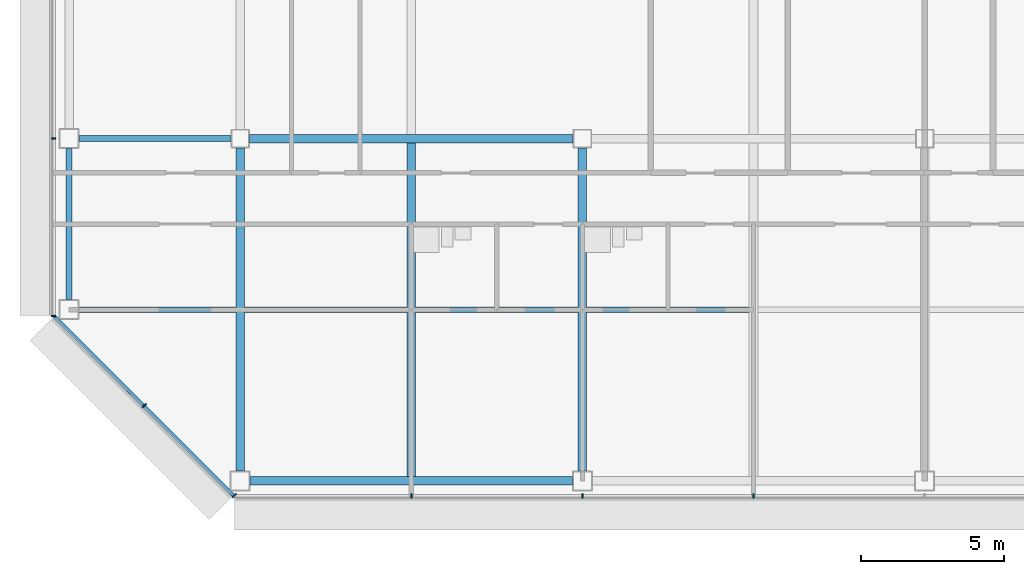
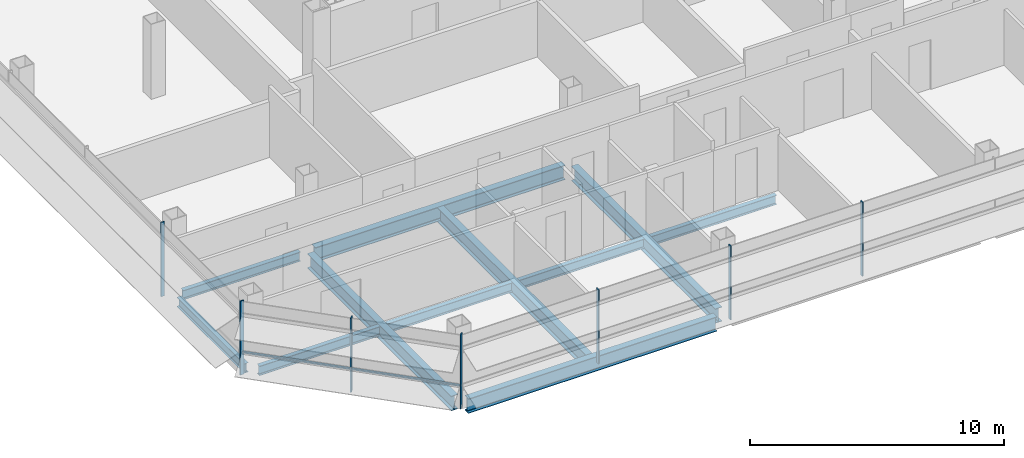
# One storey, part 2 of 26: 11 beams, 8 members, 3 elements without a shape of their own.
"""IFC4 building model written with IfcOpenShell, lengths in metres."""

from ifc_helpers import new_model, si_unit, direction, frame, origin, origin_2d, place, context, subcontext, project, spatial, rectangle, i_section, extrude, material, material_profile, profile_set, type_object, element, aggregate, save


model = new_model("IFC4")

# Units and contexts
model_context = context("Model", 3, precision=1e-05, world=origin(), true_north=direction((0.0, 1.0)))
body_context = subcontext(model_context, "Body", "Model", "MODEL_VIEW")
ifc_project = project(units=[si_unit("LENGTHUNIT", "METRE"), si_unit("AREAUNIT", "SQUARE_METRE"), si_unit("VOLUMEUNIT", "CUBIC_METRE"), si_unit("PLANEANGLEUNIT", "RADIAN"), si_unit("MASSUNIT", "GRAM", prefix="KILO")], contexts=[model_context])

# Site, building, storey
site_placement = place(None, origin())
site = spatial("IfcSite", under=ifc_project, at=site_placement, CompositionType="ELEMENT")
building_placement = place(site_placement, origin())
building = spatial("IfcBuilding", under=site, at=building_placement, Name="Sorahane Residences", CompositionType="ELEMENT")
storey_placement = place(building_placement, frame((0.0, 0.0, 158.199951171875)))
storey = spatial("IfcBuildingStorey", under=building, at=storey_placement, Name="L36", CompositionType="ELEMENT", Elevation=158.199951171875)

# Curtain wall, members
ifc_material_1 = material(Name="Dark low-e glass and black anodised aluminium", Category="aluminium")
curtain_wall_type_1 = type_object("IfcCurtainWallType", Name="Curtain wall CW-1 Typical unitised wall", PredefinedType="NOTDEFINED", material=ifc_material_1)
curtain_wall_1_placement = place(storey_placement, origin())
curtain_wall_1 = element("IfcCurtainWall", 1, at=curtain_wall_1_placement, inside=storey, type_object=curtain_wall_type_1, Name="CW-1 curtain wall L36 S1", PredefinedType="NOTDEFINED")
ifc_material_2 = material(Name="Black anodised aluminium", Category="aluminium")
ifc_material_profile_1 = material_profile(ifc_material_2, rectangle(XDim=0.159912109375, YDim=0.050048828125, at=origin_2d()), Name="Curtain wall mullion CW-1 black anodised aluminium 50x160")
ifc_profile_set_1 = profile_set([ifc_material_profile_1], Name="Black anodised aluminium")
member_type_1 = type_object("IfcMemberType", Name="Curtain wall mullion CW-1 black anodised aluminium 50x160", PredefinedType="MULLION", material=ifc_profile_set_1)
member_1_placement = place(storey_placement, frame((6.0, -0.5400390625, -0.179931640625), z_axis=(0.0, 0.0, 1.0), x_axis=(0.0, -1.0, 0.0)))
member_1 = element("IfcMember", 2, at=member_1_placement, type_object=member_type_1, Name="CW-1 mullion L36 S1.2", PredefinedType="MULLION", context=body_context, shape_type="SweptSolid", body=[
    extrude(rectangle(XDim=0.159912109375, YDim=0.050048828125, at=origin_2d()), origin(), (0.0, 0.0, 1.0), 3.56005859375),
])
member_2_placement = place(storey_placement, frame((12.0, -0.5400390625, -0.179931640625), z_axis=(0.0, 0.0, 1.0), x_axis=(0.0, -1.0, 0.0)))
member_2 = element("IfcMember", 3, at=member_2_placement, type_object=member_type_1, Name="CW-1 mullion L36 S1.3", PredefinedType="MULLION", context=body_context, shape_type="SweptSolid", body=[
    extrude(rectangle(XDim=0.159912109375, YDim=0.050048828125, at=origin_2d()), origin(), (0.0, 0.0, 1.0), 3.56005859375),
])
member_3_placement = place(storey_placement, frame((18.0, -0.5400390625, -0.179931640625), z_axis=(0.0, 0.0, 1.0), x_axis=(0.0, -1.0, 0.0)))
member_3 = element("IfcMember", 4, at=member_3_placement, type_object=member_type_1, Name="CW-1 mullion L36 S1.4", PredefinedType="MULLION", context=body_context, shape_type="SweptSolid", body=[
    extrude(rectangle(XDim=0.159912109375, YDim=0.050048828125, at=origin_2d()), origin(), (0.0, 0.0, 1.0), 3.56005859375),
])
aggregate(curtain_wall_1, [member_1, member_2, member_3])

curtain_wall_2_placement = place(storey_placement, origin())
curtain_wall_2 = element("IfcCurtainWall", 5, at=curtain_wall_2_placement, inside=storey, type_object=curtain_wall_type_1, Name="CW-1 curtain wall L36 W1", PredefinedType="NOTDEFINED")
member_4_placement = place(storey_placement, frame((-6.5400390625, 12.0, -0.179931640625), z_axis=(0.0, 0.0, 1.0), x_axis=(-1.0, 0.0, 0.0)))
member_4 = element("IfcMember", 6, at=member_4_placement, type_object=member_type_1, Name="CW-1 mullion L36 W1.6", PredefinedType="MULLION", context=body_context, shape_type="SweptSolid", body=[
    extrude(rectangle(XDim=0.159912109375, YDim=0.050048828125, at=origin_2d()), origin(), (0.0, 0.0, 1.0), 3.56005859375),
])
member_5_placement = place(storey_placement, frame((-6.5400390625, 5.7763671875, -0.179931640625), z_axis=(0.0, 0.0, 1.0), x_axis=(-1.0, 0.0, 0.0)))
member_5 = element("IfcMember", 7, at=member_5_placement, type_object=member_type_1, Name="CW-1 mullion L36 W1.7", PredefinedType="MULLION", context=body_context, shape_type="SweptSolid", body=[
    extrude(rectangle(XDim=0.159912109375, YDim=0.050048828125, at=origin_2d()), origin(), (0.0, 0.0, 1.0), 3.56005859375),
])
aggregate(curtain_wall_2, [member_4, member_5])

ifc_material_3 = material(Name="Dark low-e glass and black anodised aluminium", Category="aluminium")
curtain_wall_type_2 = type_object("IfcCurtainWallType", Name="Curtain wall CW-2 Chamfer unitised wall", PredefinedType="NOTDEFINED", material=ifc_material_3)
curtain_wall_3_placement = place(storey_placement, origin())
curtain_wall_3 = element("IfcCurtainWall", 8, at=curtain_wall_3_placement, inside=storey, type_object=curtain_wall_type_2, Name="CW-2 curtain wall L36 SW1", PredefinedType="NOTDEFINED")
ifc_material_4 = material(Name="Black anodised aluminium", Category="aluminium")
ifc_material_profile_2 = material_profile(ifc_material_4, rectangle(XDim=0.199951171875, YDim=0.050048828125, at=origin_2d()), Name="Curtain wall mullion CW-2 black anodised aluminium 50x200")
ifc_profile_set_2 = profile_set([ifc_material_profile_2], Name="Black anodised aluminium")
member_type_2 = type_object("IfcMemberType", Name="Curtain wall mullion CW-2 black anodised aluminium 50x200", PredefinedType="MULLION", material=ifc_profile_set_2)
member_6_placement = place(storey_placement, frame((-3.36767578125, 2.63232421875, -0.179931640625), z_axis=(0.0, 0.0, 1.0), x_axis=(-0.707106781187, -0.707106781187, 0.0)))
member_6 = element("IfcMember", 9, at=member_6_placement, type_object=member_type_2, Name="CW-2 mullion L36 SW1.2", PredefinedType="MULLION", context=body_context, shape_type="SweptSolid", body=[
    extrude(rectangle(XDim=0.199951171875, YDim=0.050048828125, at=origin_2d()), origin(), (0.0, 0.0, 1.0), 3.56005859375),
])
member_7_placement = place(storey_placement, frame((-0.209716796875, -0.525634765625, -0.179931640625), z_axis=(0.0, 0.0, 1.0), x_axis=(-0.707106781187, -0.707106781187, 0.0)))
member_7 = element("IfcMember", 10, at=member_7_placement, type_object=member_type_2, Name="CW-2 mullion L36 SW1.3", PredefinedType="MULLION", context=body_context, shape_type="SweptSolid", body=[
    extrude(rectangle(XDim=0.199951171875, YDim=0.050048828125, at=origin_2d()), origin(), (0.0, 0.0, 1.0), 3.56005859375),
])
ifc_material_5 = material(Name="Black anodised aluminium", Category="aluminium")
ifc_material_profile_3 = material_profile(ifc_material_5, rectangle(XDim=0.10009765625, YDim=0.06005859375, at=origin_2d()), Name="Curtain wall transom CW-2 black anodised aluminium 60x100")
ifc_profile_set_3 = profile_set([ifc_material_profile_3], Name="Black anodised aluminium")
member_type_3 = type_object("IfcMemberType", Name="Curtain wall transom CW-2 black anodised aluminium 60x100", PredefinedType="USERDEFINED", material=ifc_profile_set_3)
member_8_placement = place(storey_placement, frame((-6.51513671875, 5.765625, 0.900146484375), z_axis=(0.707106781187, -0.707106781187, 0.0), x_axis=(0.707106781187, 0.707106781187, 0.0)))
member_8 = element("IfcMember", 11, at=member_8_placement, type_object=member_type_3, Name="CW-2 transom L36 SW1", ObjectType="TRANSOM", PredefinedType="USERDEFINED", context=body_context, shape_type="SweptSolid", body=[
    extrude(rectangle(XDim=0.10009765625, YDim=0.06005859375, at=origin_2d()), origin(), (0.0, 0.0, 1.0), 8.88232421875),
])
aggregate(curtain_wall_3, [member_6, member_7, member_8])

# Beams
ifc_material_6 = material(Name="Steel Q355B", Category="steel")
ifc_material_profile_4 = material_profile(ifc_material_6, i_section(OverallWidth=0.199951171875, OverallDepth=0.449951171875, WebThickness=0.009033203125, FlangeThickness=0.013916015625, FilletRadius=0.02001953125, at=origin_2d()), Name="HN 450x200x9x14")
ifc_profile_set_4 = profile_set([ifc_material_profile_4], Name="Steel Q355B")
beam_type_1 = type_object("IfcBeamType", Name="Steel floor beam HN 450x200x9x14 Q355B", PredefinedType="BEAM", material=ifc_profile_set_4)
beam_1_placement = place(storey_placement, frame((-5.64990234375, 12.0, -0.405029296875), z_axis=(1.0, 0.0, 0.0), x_axis=(0.0, 1.0, 0.0)))
element("IfcBeam", 12, at=beam_1_placement, inside=storey, type_object=beam_type_1, Name="Beam L36 005", PredefinedType="BEAM", context=body_context, shape_type="SweptSolid", body=[
    extrude(i_section(OverallWidth=0.199951171875, OverallDepth=0.449951171875, WebThickness=0.009033203125, FlangeThickness=0.013916015625, FilletRadius=0.02001953125, at=origin_2d()), origin(), (0.0, 0.0, 1.0), 5.324951171875),
])
beam_2_placement = place(storey_placement, frame((-6.0, 6.35009765625, -0.405029296875), z_axis=(0.0, 1.0, 0.0), x_axis=(-1.0, 0.0, 0.0)))
element("IfcBeam", 13, at=beam_2_placement, inside=storey, type_object=beam_type_1, Name="Beam L36 020", PredefinedType="BEAM", context=body_context, shape_type="SweptSolid", body=[
    extrude(i_section(OverallWidth=0.199951171875, OverallDepth=0.449951171875, WebThickness=0.009033203125, FlangeThickness=0.013916015625, FilletRadius=0.02001953125, at=origin_2d()), origin(), (0.0, 0.0, 1.0), 5.2998046875),
])
beam_3_placement = place(storey_placement, frame((-5.64990234375, 6.0, -0.405029296875), z_axis=(1.0, 0.0, 0.0), x_axis=(0.0, 1.0, 0.0)))
element("IfcBeam", 14, at=beam_3_placement, inside=storey, type_object=beam_type_1, Name="Beam L36 068", PredefinedType="BEAM", context=body_context, shape_type="SweptSolid", body=[
    extrude(i_section(OverallWidth=0.199951171875, OverallDepth=0.449951171875, WebThickness=0.009033203125, FlangeThickness=0.013916015625, FilletRadius=0.02001953125, at=origin_2d()), origin(), (0.0, 0.0, 1.0), 5.5),
])
for number, where, z_axis, x_axis, name in (
    (15, (0.14990234375, 6.0, -0.405029296875), (1.0, 0.0, 0.0), (0.0, 1.0, 0.0), "Beam L36 069"),
    (16, (6.14990234375, 6.0, -0.405029296875), (1.0, 0.0, 0.0), (0.0, 1.0, 0.0), "Beam L36 070"),
    (17, (12.14990234375, 6.0, -0.405029296875), (1.0, 0.0, 0.0), (0.0, 1.0, 0.0), "Beam L36 071"),
):
    element("IfcBeam", number, at=place(storey_placement, frame(where, z_axis=z_axis, x_axis=x_axis)), inside=storey, type_object=beam_type_1, Name=name, PredefinedType="BEAM", context=body_context, shape_type="SweptSolid", body=[
        extrude(i_section(OverallWidth=0.199951171875, OverallDepth=0.449951171875, WebThickness=0.009033203125, FlangeThickness=0.013916015625, FilletRadius=0.02001953125, at=origin_2d()), origin(), (0.0, 0.0, 1.0), 5.7001953125),
    ])
ifc_material_7 = material(Name="Steel Q355B", Category="steel")
ifc_material_profile_5 = material_profile(ifc_material_7, i_section(OverallWidth=0.300048828125, OverallDepth=0.699951171875, WebThickness=0.012939453125, FlangeThickness=0.02392578125, FilletRadius=0.028076171875, at=origin_2d()), Name="HN 700x300x13x24")
ifc_profile_set_5 = profile_set([ifc_material_profile_5], Name="Steel Q355B")
beam_type_2 = type_object("IfcBeamType", Name="Steel floor beam HN 700x300x13x24 Q355B", PredefinedType="BEAM", material=ifc_profile_set_5)
beam_4_placement = place(storey_placement, frame((0.35009765625, 0.0, -0.530029296875), z_axis=(1.0, 0.0, 0.0), x_axis=(0.0, 1.0, 0.0)))
element("IfcBeam", 18, at=beam_4_placement, inside=storey, type_object=beam_type_2, Name="Beam L36 000", PredefinedType="BEAM", context=body_context, shape_type="SweptSolid", body=[
    extrude(i_section(OverallWidth=0.300048828125, OverallDepth=0.699951171875, WebThickness=0.012939453125, FlangeThickness=0.02392578125, FilletRadius=0.028076171875, at=origin_2d()), origin(), (0.0, 0.0, 1.0), 11.2998046875),
])
beam_5_placement = place(storey_placement, frame((0.324951171875, 12.0, -0.530029296875), z_axis=(1.0, 0.0, 0.0), x_axis=(0.0, 1.0, 0.0)))
element("IfcBeam", 19, at=beam_5_placement, inside=storey, type_object=beam_type_2, Name="Beam L36 006", PredefinedType="BEAM", context=body_context, shape_type="SweptSolid", body=[
    extrude(i_section(OverallWidth=0.300048828125, OverallDepth=0.699951171875, WebThickness=0.012939453125, FlangeThickness=0.02392578125, FilletRadius=0.028076171875, at=origin_2d()), origin(), (0.0, 0.0, 1.0), 11.35009765625),
])
beam_6_placement = place(storey_placement, frame((0.0, 0.35009765625, -0.530029296875), z_axis=(0.0, 1.0, 0.0), x_axis=(-1.0, 0.0, 0.0)))
element("IfcBeam", 20, at=beam_6_placement, inside=storey, type_object=beam_type_2, Name="Beam L36 024", PredefinedType="BEAM", context=body_context, shape_type="SweptSolid", body=[
    extrude(i_section(OverallWidth=0.300048828125, OverallDepth=0.699951171875, WebThickness=0.012939453125, FlangeThickness=0.02392578125, FilletRadius=0.028076171875, at=origin_2d()), origin(), (0.0, 0.0, 1.0), 11.324951171875),
])
beam_7_placement = place(storey_placement, frame((6.0, 0.14990234375, -0.530029296875), z_axis=(0.0, 1.0, 0.0), x_axis=(-1.0, 0.0, 0.0)))
element("IfcBeam", 21, at=beam_7_placement, inside=storey, type_object=beam_type_2, Name="Beam L36 028", PredefinedType="BEAM", context=body_context, shape_type="SweptSolid", body=[
    extrude(i_section(OverallWidth=0.300048828125, OverallDepth=0.699951171875, WebThickness=0.012939453125, FlangeThickness=0.02392578125, FilletRadius=0.028076171875, at=origin_2d()), origin(), (0.0, 0.0, 1.0), 11.7001953125),
])
beam_8_placement = place(storey_placement, frame((12.0, 0.35009765625, -0.530029296875), z_axis=(0.0, 1.0, 0.0), x_axis=(-1.0, 0.0, 0.0)))
element("IfcBeam", 22, at=beam_8_placement, inside=storey, type_object=beam_type_2, Name="Beam L36 034", PredefinedType="BEAM", context=body_context, shape_type="SweptSolid", body=[
    extrude(i_section(OverallWidth=0.300048828125, OverallDepth=0.699951171875, WebThickness=0.012939453125, FlangeThickness=0.02392578125, FilletRadius=0.028076171875, at=origin_2d()), origin(), (0.0, 0.0, 1.0), 11.324951171875),
])

save(model, "model.ifc")
